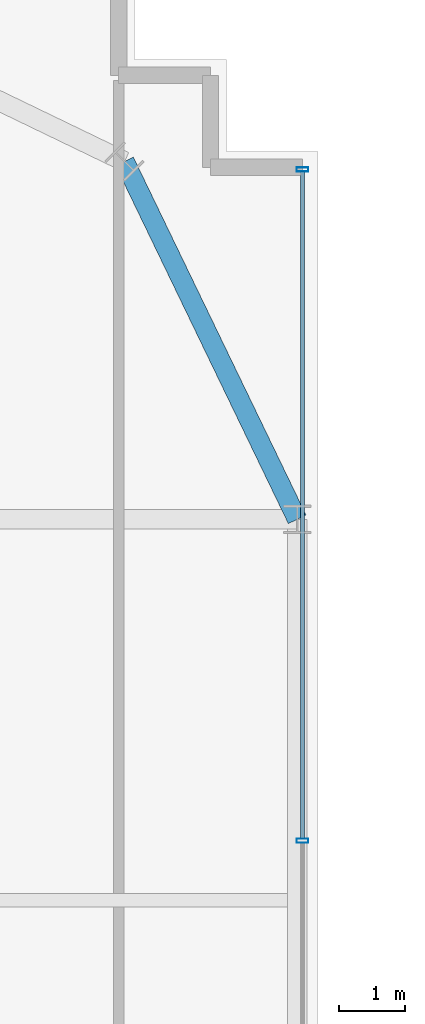
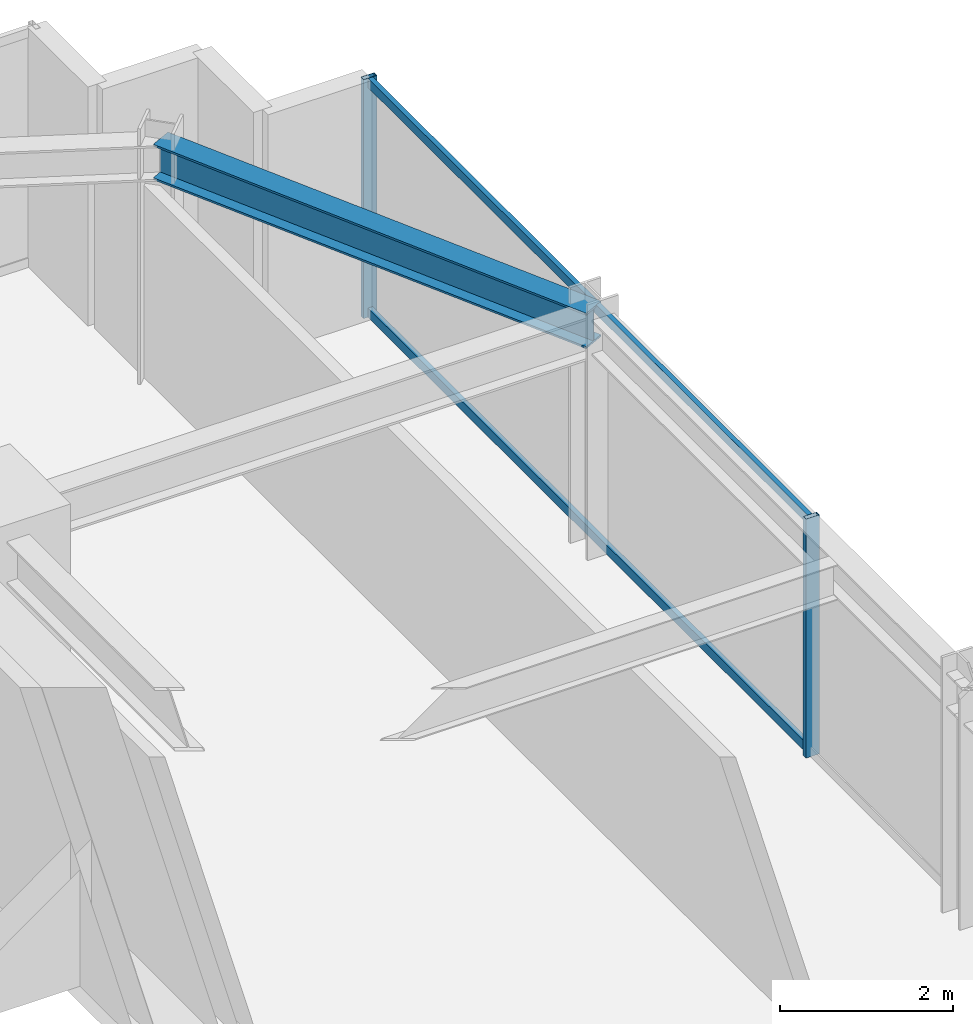
# One storey, part 25 of 35: 4 members, 1 beam, 1 element without a shape of its own.
"""IFC4 building model written with IfcOpenShell, lengths in metres."""

import ifcopenshell
import ifcopenshell.guid

model = None  # the IFC model being written
_history = None  # IfcOwnerHistory: only IFC2X3 demands one
_inside = {}  # id of a spatial element -> (the spatial element, [elements in it])
_under = {}  # id of a project, library or spatial element -> (it, [spatial elements below it])
_declared = {}  # id of a project -> (the project, [libraries it declares])
_typed = {}  # id of a type object -> (the type object, [elements of that type])
_made_of = {}  # id of a material, layer set ... -> (it, [elements and type objects made of it])


def new_model(schema):
    """Start an empty IFC model of exactly this schema.

    Asked for "IFC4X3", IfcOpenShell would pick the latest addendum, in which some entities
    have other attributes; the version numbers below select the first issue.
    IFC2X3 requires an IfcOwnerHistory on every rooted entity: one is made here for all.
    """
    global model, _history
    if schema == "IFC4X3":
        model = ifcopenshell.file(schema_version=(4, 3, 0, 0))
    else:
        model = ifcopenshell.file(schema=schema)
    _inside.clear()
    _under.clear()
    _declared.clear()
    _typed.clear()
    _made_of.clear()
    _history = None
    if model.schema == "IFC2X3":
        org = make("IfcOrganization", Name="unknown")
        user = make(
            "IfcPersonAndOrganization",
            ThePerson=make("IfcPerson", FamilyName="unknown"),
            TheOrganization=org,
        )
        app = make(
            "IfcApplication",
            ApplicationDeveloper=org,
            Version="unknown",
            ApplicationFullName="unknown",
            ApplicationIdentifier="unknown",
        )
        _history = make(
            "IfcOwnerHistory",
            OwningUser=user,
            OwningApplication=app,
            ChangeAction="ADDED",
            CreationDate=0,
        )
    return model


def make(cls, **values):
    """One entity of the class cls with the attributes given. An attribute that is None is left unset."""
    return model.create_entity(
        cls, **{name: value for name, value in values.items() if value is not None}
    )


def rooted(cls, **values):
    """An entity with a GlobalId (a new one), such as an element, a storey or a relation."""
    return make(cls, GlobalId=ifcopenshell.guid.new(), OwnerHistory=_history, **values)


def si_unit(unit_type, name, prefix=None):
    """IfcSIUnit, for example si_unit("LENGTHUNIT", "METRE", prefix="MILLI")."""
    return make("IfcSIUnit", UnitType=unit_type, Prefix=prefix, Name=name)


def assignment(units):
    """IfcUnitAssignment: the units of a project."""
    return None if units is None else make("IfcUnitAssignment", Units=units)


def point(xyz):
    """IfcCartesianPoint."""
    return None if xyz is None else make("IfcCartesianPoint", Coordinates=xyz)


def direction(xyz):
    """IfcDirection."""
    return None if xyz is None else make("IfcDirection", DirectionRatios=xyz)


def frame(location, z_axis=None, x_axis=None):
    """IfcAxis2Placement3D, a coordinate frame: its origin and axes. An axis left out is left unset."""
    return make(
        "IfcAxis2Placement3D",
        Location=point(location),
        Axis=direction(z_axis),
        RefDirection=direction(x_axis),
    )


def frame_2d(location, x_axis=None):
    """IfcAxis2Placement2D, a coordinate frame in the plane: its origin and x axis."""
    return make(
        "IfcAxis2Placement2D", Location=point(location), RefDirection=direction(x_axis)
    )


def origin():
    """The frame at (0, 0, 0) with its axes left unset."""
    return frame((0.0, 0.0, 0.0))


def origin_2d():
    """The frame at (0, 0) in the plane with its x axis left unset."""
    return frame_2d((0.0, 0.0))


def place(relative_to, where):
    """IfcLocalPlacement: puts the frame where relative to a parent placement (None: the world)."""
    return make(
        "IfcLocalPlacement", PlacementRelTo=relative_to, RelativePlacement=where
    )


def context(
    kind, dimensions, precision=None, world=None, true_north=None, identifier=None
):
    """IfcGeometricRepresentationContext, for example the 3D "Model" context."""
    return make(
        "IfcGeometricRepresentationContext",
        ContextIdentifier=identifier,
        ContextType=kind,
        CoordinateSpaceDimension=dimensions,
        Precision=precision,
        WorldCoordinateSystem=world,
        TrueNorth=true_north,
    )


def subcontext(parent, identifier, kind, view, scale=None):
    """IfcGeometricRepresentationSubContext, for example "Body" below "Model"."""
    return make(
        "IfcGeometricRepresentationSubContext",
        ContextIdentifier=identifier,
        ContextType=kind,
        ParentContext=parent,
        TargetScale=scale,
        TargetView=view,
    )


def project(units=None, contexts=None):
    """IfcProject with its units and contexts."""
    return rooted(
        "IfcProject",
        Name="project",
        RepresentationContexts=contexts,
        UnitsInContext=assignment(units),
    )


def spatial(cls, under=None, at=None, **own):
    """A site, building, storey or space (cls), placed at a placement, below another one or the project."""
    s = rooted(cls, ObjectPlacement=at, **own)
    if under is not None:
        _under.setdefault(under.id(), (under, []))[1].append(s)
    return s


def profile(cls, at=None, kind="AREA", **sizes):
    """A parametric profile (cls). Its sizes go by their IFC names, for example OverallWidth=200.0."""
    return make(cls, ProfileType=kind, Position=at, **sizes)


def hollow_rectangle(**sizes):
    """IfcRectangleHollowProfileDef."""
    return profile("IfcRectangleHollowProfileDef", **sizes)


def i_section(**sizes):
    """IfcIShapeProfileDef."""
    return profile("IfcIShapeProfileDef", **sizes)


def extrude(swept, where, along, depth):
    """IfcExtrudedAreaSolid: the profile swept, set in the frame where, extruded along a direction by depth."""
    return make(
        "IfcExtrudedAreaSolid",
        SweptArea=swept,
        Position=where,
        ExtrudedDirection=direction(along),
        Depth=depth,
    )


def shape(context_of_items, identifier, shape_type, items):
    """IfcShapeRepresentation: the items that make up one representation, for example the "Body"."""
    return make(
        "IfcShapeRepresentation",
        ContextOfItems=context_of_items,
        RepresentationIdentifier=identifier,
        RepresentationType=shape_type,
        Items=items,
    )


def source(mapping_origin, context_of_items, identifier, shape_type, items):
    """IfcRepresentationMap: a shape defined once, which mapped items show again and again."""
    return make(
        "IfcRepresentationMap",
        MappingOrigin=mapping_origin,
        MappedRepresentation=shape(context_of_items, identifier, shape_type, items),
    )


def transform(
    local_origin,
    x_axis=None,
    y_axis=None,
    z_axis=None,
    scale=None,
    scale2=None,
    scale3=None,
    uniform=True,
):
    """IfcCartesianTransformationOperator3D, or its non-uniform kind. x_axis, y_axis, z_axis: its Axis1, 2, 3."""
    if uniform:
        return make(
            "IfcCartesianTransformationOperator3D",
            Axis1=direction(x_axis),
            Axis2=direction(y_axis),
            LocalOrigin=point(local_origin),
            Scale=scale,
            Axis3=direction(z_axis),
        )
    return make(
        "IfcCartesianTransformationOperator3DnonUniform",
        Axis1=direction(x_axis),
        Axis2=direction(y_axis),
        LocalOrigin=point(local_origin),
        Scale=scale,
        Axis3=direction(z_axis),
        Scale2=scale2,
        Scale3=scale3,
    )


def mapped(mapping_source, mapping_target):
    """IfcMappedItem: shows the shape of a source again, moved by a transform."""
    return make(
        "IfcMappedItem", MappingSource=mapping_source, MappingTarget=mapping_target
    )


def material(Name=None, Category=None):
    """IfcMaterial."""
    return make("IfcMaterial", Name=Name, Category=Category)


def material_profile(
    of_material, cross_section, Name=None, Category=None, Priority=None
):
    """IfcMaterialProfile: a cross section and its material."""
    return make(
        "IfcMaterialProfile",
        Name=Name,
        Material=of_material,
        Profile=cross_section,
        Priority=Priority,
        Category=Category,
    )


def profile_set(profiles, Name=None, composite=None):
    """IfcMaterialProfileSet."""
    return make(
        "IfcMaterialProfileSet",
        Name=Name,
        MaterialProfiles=profiles,
        CompositeProfile=composite,
    )


def made_of(thing, what):
    """Note that an element or type object is made of a material, layer set ...; save() writes the relation."""
    if what is not None:
        _made_of.setdefault(what.id(), (what, []))[1].append(thing)
    return thing


def type_object(cls, material=None, **own):
    """A type object (cls), such as IfcWallType, which elements share."""
    return made_of(rooted(cls, **own), material)


def element(
    cls,
    number,
    at=None,
    inside=None,
    cuts=None,
    type_object=None,
    material=None,
    context=None,
    identifier="Body",
    shape_type=None,
    held_by="IfcProductDefinitionShape",
    body=None,
    shapes=None,
    **own,
):
    """One element of the class cls, such as IfcWall. Its Tag is "e" and its number.

    at: its placement. inside: the storey or other place that contains it. cuts: it is an
    opening in that element (IfcRelVoidsElement). A single representation is given by context,
    identifier, shape_type and body (its items); several are given by shapes. held_by: the class
    of the entity that holds the representations. save() writes the other relations.
    """
    e = rooted(cls, Tag="e%d" % number, ObjectPlacement=at, **own)
    if body is not None:
        shapes = [shape(context, identifier, shape_type, body)]
    if shapes is not None:
        e.Representation = make(held_by, Representations=shapes)
    if inside is not None:
        _inside.setdefault(inside.id(), (inside, []))[1].append(e)
    if cuts is not None:
        rooted(
            "IfcRelVoidsElement", RelatingBuildingElement=cuts, RelatedOpeningElement=e
        )
    if type_object is not None:
        _typed.setdefault(type_object.id(), (type_object, []))[1].append(e)
    return made_of(e, material)


def aggregate(whole, parts):
    """IfcRelAggregates: a whole, such as a stair, and the parts it consists of."""
    return rooted("IfcRelAggregates", RelatingObject=whole, RelatedObjects=parts)


def save(model, path):
    """Write the relations noted so far, then the file.

    IfcRelAggregates (storeys below a building ...), IfcRelContainedInSpatialStructure (elements
    in a storey), IfcRelDefinesByType, IfcRelAssociatesMaterial and IfcRelDeclares: one each for
    every whole, place, type object, material and project.
    """
    for whole, parts in _under.values():
        aggregate(whole, parts)
    for where, things in _inside.values():
        rooted(
            "IfcRelContainedInSpatialStructure",
            RelatedElements=things,
            RelatingStructure=where,
        )
    for kind, things in _typed.values():
        rooted("IfcRelDefinesByType", RelatedObjects=things, RelatingType=kind)
    for what, things in _made_of.values():
        rooted("IfcRelAssociatesMaterial", RelatedObjects=things, RelatingMaterial=what)
    for by, libraries in _declared.values():
        rooted("IfcRelDeclares", RelatingContext=by, RelatedDefinitions=libraries)
    model.write(path)


model = new_model("IFC4")

# Units and contexts
model_context = context("Model", 3, precision=1e-05, world=origin(), true_north=direction((0.0, 1.0)))
body_context = subcontext(model_context, "Body", "Model", "MODEL_VIEW")
ifc_project = project(units=[si_unit("LENGTHUNIT", "METRE"), si_unit("AREAUNIT", "SQUARE_METRE"), si_unit("VOLUMEUNIT", "CUBIC_METRE"), si_unit("PLANEANGLEUNIT", "RADIAN"), si_unit("MASSUNIT", "GRAM", prefix="KILO")], contexts=[model_context])

# Site, building, storey
site_placement = place(None, origin())
site = spatial("IfcSite", under=ifc_project, at=site_placement, CompositionType="ELEMENT")
building_placement = place(site_placement, origin())
building = spatial("IfcBuilding", under=site, at=building_placement, Name="Nahalor Promenade Grand Hotel", CompositionType="ELEMENT")
storey_placement = place(building_placement, frame((0.0, 0.0, 39.699951171875)))
storey = spatial("IfcBuildingStorey", under=building, at=storey_placement, Name="L08", CompositionType="ELEMENT", Elevation=39.699951171875)

# Beam
ifc_material_1 = material(Name="Steel S355JR", Category="steel")
ifc_material_profile_1 = material_profile(ifc_material_1, i_section(OverallWidth=0.3, OverallDepth=0.5, WebThickness=0.0145, FlangeThickness=0.028, at=origin_2d()), Name="HEB 500")
ifc_profile_set_1 = profile_set([ifc_material_profile_1], Name="Steel S355JR")
beam_type = type_object("IfcBeamType", Name="Beam-Spandrel-HEB500", PredefinedType="SPANDREL", material=ifc_profile_set_1)
shared_shape_1 = source(origin(), body_context, "Body", "SweptSolid", [
    extrude(i_section(OverallWidth=0.3, OverallDepth=0.5, WebThickness=0.0145, FlangeThickness=0.028, at=origin_2d()), origin(), (0.0, 0.0, 1.0), 6.051513671875),
])
beam_placement = place(storey_placement, frame((22.449951171875, 22.449951171875, 3.1201171875), z_axis=(0.434630596492, -0.900608818852, 0.0), x_axis=(0.900608818852, 0.434630596492, 0.0)))
element("IfcBeam", 1, at=beam_placement, inside=storey, type_object=beam_type, Name="BM-L08-SPC-NE-2", PredefinedType="SPANDREL", context=body_context, shape_type="MappedRepresentation", body=[
    mapped(shared_shape_1, transform((0.0, 0.0, 0.0), scale=1.0)),
])

# Curtain wall, members
ifc_material_2 = material(Name="Anodised Bronze Aluminium EN AW-6063 T6", Category="aluminium")
curtain_wall_type = type_object("IfcCurtainWallType", Name="CW2 Typical Hotel Flush Bronze Unitised Curtain Wall", PredefinedType="USERDEFINED", material=ifc_material_2)
curtain_wall_placement = place(storey_placement, origin())
curtain_wall = element("IfcCurtainWall", 2, at=curtain_wall_placement, inside=storey, type_object=curtain_wall_type, Name="L08 Curtain Wall CW-L08-E-3", ObjectType="UNITISED_CURTAIN_WALL", PredefinedType="USERDEFINED")
ifc_material_profile_2 = material_profile(ifc_material_2, hollow_rectangle(XDim=0.065, YDim=0.18, WallThickness=0.004, at=origin_2d()), Name="CWM 65x180x4")
ifc_profile_set_2 = profile_set([ifc_material_profile_2], Name="Anodised Bronze Aluminium EN AW-6063 T6")
member_type_1 = type_object("IfcMemberType", Name="CWM2 Typical Bronze Mullion 65x180", PredefinedType="MULLION", material=ifc_profile_set_2)
shared_shape_2 = source(origin(), body_context, "Body", "SweptSolid", [
    extrude(hollow_rectangle(XDim=0.065, YDim=0.18, WallThickness=0.004, at=origin_2d()), origin(), (0.0, 0.0, 1.0), 3.3701171875),
])
member_1_placement = place(storey_placement, frame((25.159912109375, 12.106689453125, 0.0), z_axis=(0.0, 0.0, 1.0), x_axis=(0.0, 1.0, 0.0)))
member_1 = element("IfcMember", 3, at=member_1_placement, type_object=member_type_1, Name="CW-L08-E-3 Mullion 2", PredefinedType="MULLION", context=body_context, shape_type="MappedRepresentation", body=[
    mapped(shared_shape_2, transform((0.0, 0.0, 0.0), scale=1.0)),
])
member_2_placement = place(storey_placement, frame((25.159912109375, 22.327392578125, 0.0), z_axis=(0.0, 0.0, 1.0), x_axis=(0.0, 1.0, 0.0)))
member_2 = element("IfcMember", 4, at=member_2_placement, type_object=member_type_1, Name="CW-L08-E-3 Mullion 3", PredefinedType="MULLION", context=body_context, shape_type="MappedRepresentation", body=[
    mapped(shared_shape_2, transform((0.0, 0.0, 0.0), scale=1.0)),
])
ifc_material_profile_3 = material_profile(ifc_material_2, hollow_rectangle(XDim=0.065, YDim=0.13, WallThickness=0.004, at=origin_2d()), Name="CWT 65x130x4")
ifc_profile_set_3 = profile_set([ifc_material_profile_3], Name="Anodised Bronze Aluminium EN AW-6063 T6")
member_type_2 = type_object("IfcMemberType", Name="CWT2 Typical Bronze Transom 65x130", PredefinedType="USERDEFINED", material=ifc_profile_set_3)
shared_shape_3 = source(origin(), body_context, "Body", "SweptSolid", [
    extrude(hollow_rectangle(XDim=0.065, YDim=0.13, WallThickness=0.004, at=origin_2d()), origin(), (0.0, 0.0, 1.0), 10.15576171875),
])
member_3_placement = place(storey_placement, frame((25.159912109375, 12.13916015625, 0.06494140625), z_axis=(0.0, 1.0, 0.0), x_axis=(-1.0, 0.0, 0.0)))
member_3 = element("IfcMember", 5, at=member_3_placement, type_object=member_type_2, Name="CW-L08-E-3 Transom 2-0", ObjectType="TRANSOM", PredefinedType="USERDEFINED", context=body_context, shape_type="MappedRepresentation", body=[
    mapped(shared_shape_3, transform((0.0, 0.0, 0.0), scale=1.0)),
])
member_4_placement = place(storey_placement, frame((25.159912109375, 12.13916015625, 3.304931640625), z_axis=(0.0, 1.0, 0.0), x_axis=(-1.0, 0.0, 0.0)))
member_4 = element("IfcMember", 6, at=member_4_placement, type_object=member_type_2, Name="CW-L08-E-3 Transom 2-1", ObjectType="TRANSOM", PredefinedType="USERDEFINED", context=body_context, shape_type="MappedRepresentation", body=[
    mapped(shared_shape_3, transform((0.0, 0.0, 0.0), scale=1.0)),
])
aggregate(curtain_wall, [member_1, member_2, member_3, member_4])

save(model, "model.ifc")
